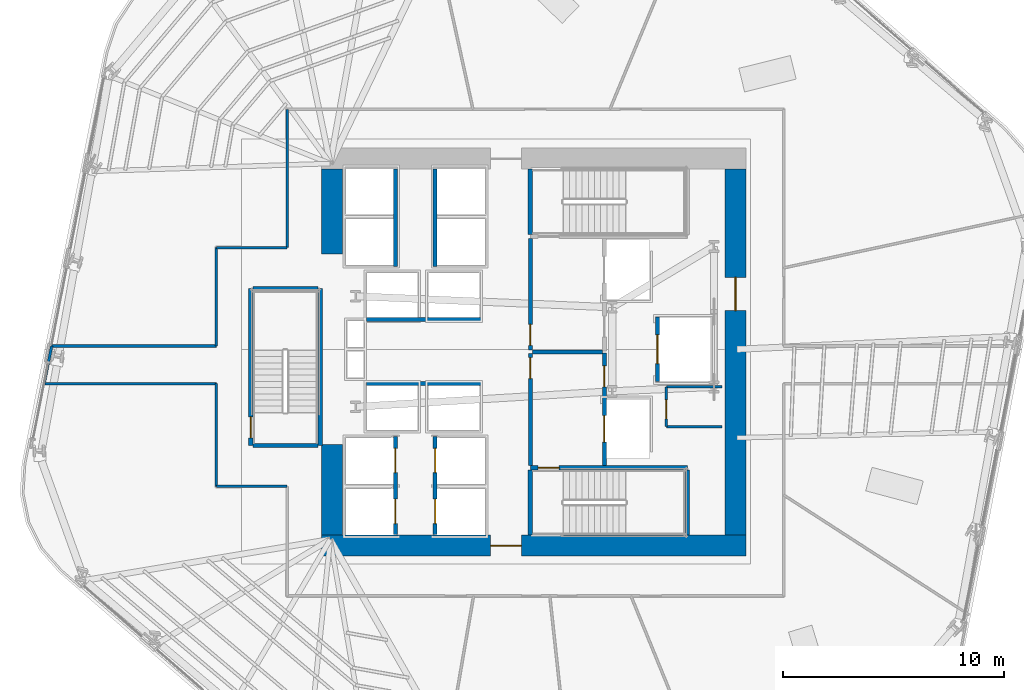
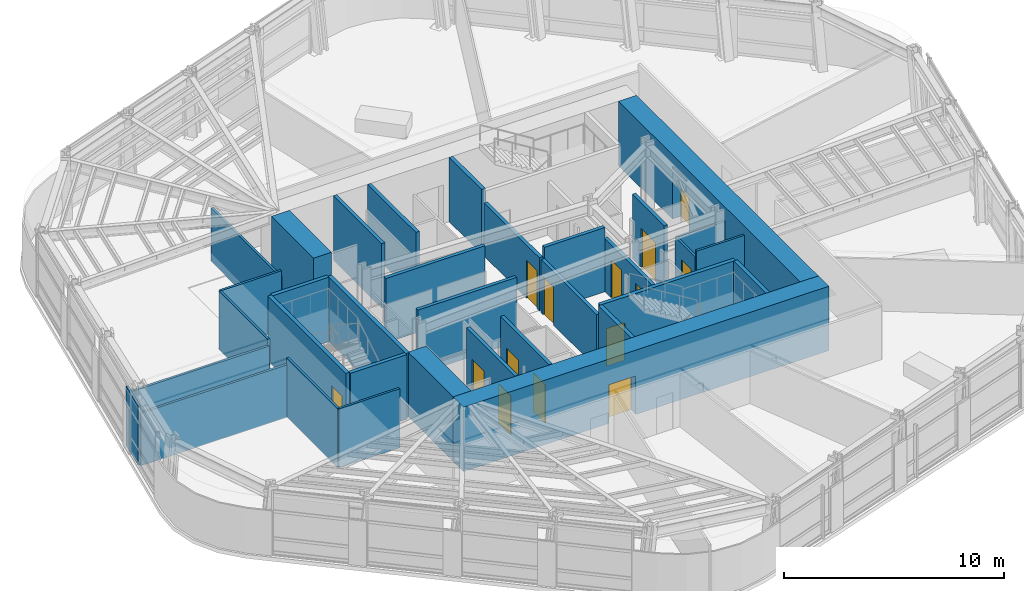
# One storey, part 9 of 16: 34 walls, 14 doors, 14 openings.
"""IFC4 building model written with IfcOpenShell, lengths in metres."""

from ifc_helpers import new_model, si_unit, direction, frame, frame_2d, origin, place, context, subcontext, project, spatial, rectangle, extrude, material, layer, layer_set, type_object, element, fill, save


model = new_model("IFC4")

# Units and contexts
model_context = context("Model", 3, precision=1e-05, world=origin(), true_north=direction((0.0, 1.0)))
body_context = subcontext(model_context, "Body", "Model", "MODEL_VIEW")
ifc_project = project(units=[si_unit("LENGTHUNIT", "METRE"), si_unit("AREAUNIT", "SQUARE_METRE"), si_unit("VOLUMEUNIT", "CUBIC_METRE"), si_unit("PLANEANGLEUNIT", "RADIAN"), si_unit("MASSUNIT", "GRAM", prefix="KILO")], contexts=[model_context])

# Site, building, storey
site_placement = place(None, origin())
site = spatial("IfcSite", under=ifc_project, at=site_placement, CompositionType="ELEMENT")
building_placement = place(site_placement, origin())
building = spatial("IfcBuilding", under=site, at=building_placement, Name="Valkerne Bourse Tower", CompositionType="ELEMENT")
storey_placement = place(building_placement, frame((0.0, 0.0, 104.800048828125)))
storey = spatial("IfcBuildingStorey", under=building, at=storey_placement, Name="L26", CompositionType="ELEMENT", Elevation=104.800048828125)

# Wall, opening, door
ifc_material_1 = material(Name="Concrete C70/85", Category="concrete")
ifc_layer_1 = layer(ifc_material_1, 0.949951171875)
ifc_layer_set_1 = layer_set([ifc_layer_1], Name="Concrete C70/85")
wall_type_1 = type_object("IfcWallType", Name="W-CORE-950", PredefinedType="SHEAR", material=ifc_layer_set_1)
wall_1_placement = place(storey_placement, frame((37.199951171875, 18.125, 0.0), z_axis=(0.0, 0.0, 1.0), x_axis=(1.0, 0.0, 0.0)))
wall_1 = element("IfcWall", 1, at=wall_1_placement, inside=storey, type_object=wall_type_1, Name="L26 Core Shear Wall SOUTH", PredefinedType="SHEAR", context=body_context, shape_type="SweptSolid", body=[
    extrude(rectangle(XDim=19.199951171875, YDim=0.949951171875, at=frame_2d((9.60009765625, 0.0))), origin(), (0.0, 0.0, 1.0), 3.579833984375),
])
opening_1_placement = place(wall_1_placement, frame((7.64990234375, 0.0, 0.0)))
opening_1 = element("IfcOpeningElement", 2, at=opening_1_placement, cuts=wall_1, Name="Opening D-PL-1400", PredefinedType="OPENING", context=body_context, shape_type="SweptSolid", body=[
    extrude(rectangle(XDim=1.39990234375, YDim=2.14990234375, at=frame_2d((0.699951171875, 1.074951171875))), frame((0.0, 0.48486328125, 0.0), z_axis=(0.0, -1.0, 0.0), x_axis=(1.0, 0.0, 0.0)), (0.0, 0.0, 1.0), 0.969970703125),
])
ifc_material_2 = material(Name="Galvanised Painted Steel", Category="steel")
door_type_1 = type_object("IfcDoorType", Name="DR-PLT-1400", OperationType="DOUBLE_DOOR_SINGLE_SWING", PredefinedType="DOOR", material=ifc_material_2)
door_1_placement = place(opening_1_placement, origin())
door_1 = element("IfcDoor", 3, at=door_1_placement, inside=storey, type_object=door_type_1, Name="L26 South Passenger Lift Hall Fire Door", OperationType="DOUBLE_DOOR_SINGLE_SWING", OverallHeight=2.14990234375, OverallWidth=1.39990234375, PredefinedType="DOOR", context=body_context, shape_type="SweptSolid", body=[
    extrude(rectangle(XDim=1.39990234375, YDim=2.14990234375, at=frame_2d((0.699951171875, 1.074951171875))), frame((0.0, 0.02490234375, 0.0), z_axis=(0.0, -1.0, 0.0), x_axis=(1.0, 0.0, 0.0)), (0.0, 0.0, 1.0), 0.050048828125),
])
fill(opening_1, door_1)

wall_2_placement = place(storey_placement, frame((55.925048828125, 18.60009765625, 0.0), z_axis=(0.0, 0.0, 1.0), x_axis=(0.0, 1.0, 0.0)))
wall_2 = element("IfcWall", 4, at=wall_2_placement, inside=storey, type_object=wall_type_1, Name="L26 Core Shear Wall EAST", PredefinedType="SHEAR", context=body_context, shape_type="SweptSolid", body=[
    extrude(rectangle(XDim=16.5498046875, YDim=0.949951171875, at=frame_2d((8.27490234375, 0.0))), origin(), (0.0, 0.0, 1.0), 3.579833984375),
])
opening_2_placement = place(wall_2_placement, frame((10.14990234375, 0.0, 0.0)))
opening_2 = element("IfcOpeningElement", 5, at=opening_2_placement, cuts=wall_2, Name="Opening D-CR-1500", PredefinedType="OPENING", context=body_context, shape_type="SweptSolid", body=[
    extrude(rectangle(XDim=1.5, YDim=2.14990234375, at=frame_2d((0.75, 1.074951171875))), frame((0.0, 0.48486328125, 0.0), z_axis=(0.0, -1.0, 0.0), x_axis=(1.0, 0.0, 0.0)), (0.0, 0.0, 1.0), 0.969970703125),
])
door_type_2 = type_object("IfcDoorType", Name="DR-CORR-1500", OperationType="DOUBLE_DOOR_SINGLE_SWING", PredefinedType="DOOR", material=ifc_material_2)
door_2_placement = place(opening_2_placement, origin())
door_2 = element("IfcDoor", 6, at=door_2_placement, inside=storey, type_object=door_type_2, Name="L26 East Core Service Lobby Fire Door", OperationType="DOUBLE_DOOR_SINGLE_SWING", OverallHeight=2.14990234375, OverallWidth=1.5, PredefinedType="DOOR", context=body_context, shape_type="SweptSolid", body=[
    extrude(rectangle(XDim=1.5, YDim=2.14990234375, at=frame_2d((0.75, 1.074951171875))), frame((0.0, 0.02490234375, 0.0), z_axis=(0.0, -1.0, 0.0), x_axis=(1.0, 0.0, 0.0)), (0.0, 0.0, 1.0), 0.050048828125),
])
fill(opening_2, door_2)

# Walls
wall_3_placement = place(storey_placement, frame((37.675048828125, 18.60009765625, 0.0), z_axis=(0.0, 0.0, 1.0), x_axis=(0.0, 1.0, 0.0)))
element("IfcWall", 7, at=wall_3_placement, inside=storey, type_object=wall_type_1, Name="L26 Core Shear Wall WEST-S", PredefinedType="SHEAR", context=body_context, shape_type="SweptSolid", body=[
    extrude(rectangle(XDim=4.099853515625, YDim=0.949951171875, at=frame_2d((2.0498046875, 0.0))), origin(), (0.0, 0.0, 1.0), 3.579833984375),
])
wall_4_placement = place(storey_placement, frame((37.675048828125, 31.300048828125, 0.0), z_axis=(0.0, 0.0, 1.0), x_axis=(0.0, 1.0, 0.0)))
element("IfcWall", 8, at=wall_4_placement, inside=storey, type_object=wall_type_1, Name="L26 Core Shear Wall WEST-N", PredefinedType="SHEAR", context=body_context, shape_type="SweptSolid", body=[
    extrude(rectangle(XDim=3.849853515625, YDim=0.949951171875, at=frame_2d((1.9248046875, 0.0))), origin(), (0.0, 0.0, 1.0), 3.579833984375),
])

# Wall, opening, door
ifc_material_3 = material(Name="Gypsum Board Steel-Stud Partition", Category="steel")
ifc_layer_2 = layer(ifc_material_3, 0.117919921875)
ifc_layer_set_2 = layer_set([ifc_layer_2], Name="Gypsum Board Steel-Stud Partition")
wall_type_2 = type_object("IfcWallType", Name="W-CORR-140", PredefinedType="PARTITIONING", material=ifc_layer_set_2)
wall_5_placement = place(storey_placement, frame((52.800048828125, 23.5, 0.0), z_axis=(0.0, 0.0, 1.0), x_axis=(0.0, 1.0, 0.0)))
wall_5 = element("IfcWall", 9, at=wall_5_placement, inside=storey, type_object=wall_type_2, Name="L26 Core SE North-Bay West Wall", PredefinedType="PARTITIONING", context=body_context, shape_type="SweptSolid", body=[
    extrude(rectangle(XDim=1.800048828125, YDim=0.117919921875, at=frame_2d((0.89990234375, 0.0))), origin(), (0.0, 0.0, 1.0), 2.957763671875),
])
opening_3_placement = place(wall_5_placement, frame((0.35009765625, 0.0, 0.0)))
opening_3 = element("IfcOpeningElement", 10, at=opening_3_placement, cuts=wall_5, Name="Opening D-WC-900", PredefinedType="OPENING", context=body_context, shape_type="SweptSolid", body=[
    extrude(rectangle(XDim=0.860107421875, YDim=2.050048828125, at=frame_2d((0.43017578125, 1.02490234375))), frame((0.0, 0.06884765625, 0.0), z_axis=(0.0, -1.0, 0.0), x_axis=(1.0, 0.0, 0.0)), (0.0, 0.0, 1.0), 0.137939453125),
])
ifc_material_4 = material(Name="Architectural White Oak Timber", Category="wood")
door_type_3 = type_object("IfcDoorType", Name="DR-WC-900", OperationType="NOTDEFINED", PredefinedType="DOOR", material=ifc_material_4)
door_3_placement = place(opening_3_placement, origin())
door_3 = element("IfcDoor", 11, at=door_3_placement, inside=storey, type_object=door_type_3, Name="L26 Telecom Closet Door", OperationType="SINGLE_SWING_LEFT", OverallHeight=2.050048828125, OverallWidth=0.860107421875, PredefinedType="DOOR", context=body_context, shape_type="SweptSolid", body=[
    extrude(rectangle(XDim=0.860107421875, YDim=2.050048828125, at=frame_2d((0.43017578125, 1.02490234375))), frame((0.0, 0.02490234375, 0.0), z_axis=(0.0, -1.0, 0.0), x_axis=(1.0, 0.0, 0.0)), (0.0, 0.0, 1.0), 0.050048828125),
])
fill(opening_3, door_3)

# Walls
wall_6_placement = place(storey_placement, frame((52.800048828125, 23.5, 0.0), z_axis=(0.0, 0.0, 1.0), x_axis=(1.0, 0.0, 0.0)))
element("IfcWall", 12, at=wall_6_placement, inside=storey, type_object=wall_type_2, Name="L26 Core SE North-Bay South Wall", PredefinedType="PARTITIONING", context=body_context, shape_type="SweptSolid", body=[
    extrude(rectangle(XDim=2.52001953125, YDim=0.117919921875, at=frame_2d((1.260009765625, 0.0))), origin(), (0.0, 0.0, 1.0), 3.280029296875),
])
wall_7_placement = place(storey_placement, frame((52.800048828125, 25.300048828125, 0.0), z_axis=(0.0, 0.0, 1.0), x_axis=(1.0, 0.0, 0.0)))
element("IfcWall", 13, at=wall_7_placement, inside=storey, type_object=wall_type_2, Name="L26 Core SE North-Bay North Wall", PredefinedType="PARTITIONING", context=body_context, shape_type="SweptSolid", body=[
    extrude(rectangle(XDim=2.52001953125, YDim=0.117919921875, at=frame_2d((1.260009765625, 0.0))), origin(), (0.0, 0.0, 1.0), 2.957763671875),
])
wall_8_placement = place(storey_placement, frame((35.64990234375, 20.800048828125, 0.0), z_axis=(0.0, 0.0, 1.0), x_axis=(-1.0, 0.0, 0.0)))
element("IfcWall", 14, at=wall_8_placement, inside=storey, type_object=wall_type_2, Name="L26 Corridor Enclosure Wall", PredefinedType="PARTITIONING", context=body_context, shape_type="SweptSolid", body=[
    extrude(rectangle(XDim=3.199951171875, YDim=0.117919921875, at=frame_2d((1.60009765625, 0.0))), origin(), (0.0, 0.0, 1.0), 3.280029296875),
])
wall_9_placement = place(storey_placement, frame((32.449951171875, 20.800048828125, 0.0), z_axis=(0.0, 0.0, 1.0), x_axis=(0.0, 1.0, 0.0)))
element("IfcWall", 15, at=wall_9_placement, inside=storey, type_object=wall_type_2, Name="L26 Corridor Enclosure Wall", PredefinedType="PARTITIONING", context=body_context, shape_type="SweptSolid", body=[
    extrude(rectangle(XDim=4.64990234375, YDim=0.117919921875, at=frame_2d((2.324951171875, 0.0))), origin(), (0.0, 0.0, 1.0), 3.280029296875),
])
wall_10_placement = place(storey_placement, frame((32.449951171875, 25.449951171875, 0.0), z_axis=(0.0, 0.0, 1.0), x_axis=(-1.0, 0.0, 0.0)))
element("IfcWall", 16, at=wall_10_placement, inside=storey, type_object=wall_type_2, Name="L26 Corridor Enclosure Wall", PredefinedType="PARTITIONING", context=body_context, shape_type="SweptSolid", body=[
    extrude(rectangle(XDim=7.73681640625, YDim=0.117919921875, at=frame_2d((3.868408203125, 0.0))), origin(), (0.0, 0.0, 1.0), 2.92236328125),
])
wall_11_placement = place(storey_placement, frame((24.677001953125, 25.494140625, 0.0), z_axis=(0.0, 0.0, 1.0), x_axis=(0.195643382588, 0.980675107694, 0.0)))
element("IfcWall", 17, at=wall_11_placement, inside=storey, type_object=wall_type_2, Name="L26 Corridor Enclosure Wall", PredefinedType="PARTITIONING", context=body_context, shape_type="SweptSolid", body=[
    extrude(rectangle(XDim=1.6884765625, YDim=0.117919921875, at=frame_2d((0.84423828125, 0.0))), origin(), (0.0, 0.0, 1.0), 3.280029296875),
])
wall_12_placement = place(storey_placement, frame((25.00732421875, 27.14990234375, 0.0), z_axis=(0.0, 0.0, 1.0), x_axis=(1.0, 0.0, 0.0)))
element("IfcWall", 18, at=wall_12_placement, inside=storey, type_object=wall_type_2, Name="L26 Corridor Enclosure Wall", PredefinedType="PARTITIONING", context=body_context, shape_type="SweptSolid", body=[
    extrude(rectangle(XDim=7.442626953125, YDim=0.117919921875, at=frame_2d((3.72119140625, 0.0))), origin(), (0.0, 0.0, 1.0), 2.92236328125),
])
wall_13_placement = place(storey_placement, frame((32.449951171875, 27.14990234375, 0.0), z_axis=(0.0, 0.0, 1.0), x_axis=(0.0, 1.0, 0.0)))
element("IfcWall", 19, at=wall_13_placement, inside=storey, type_object=wall_type_2, Name="L26 Corridor Enclosure Wall", PredefinedType="PARTITIONING", context=body_context, shape_type="SweptSolid", body=[
    extrude(rectangle(XDim=4.4501953125, YDim=0.117919921875, at=frame_2d((2.22509765625, 0.0))), origin(), (0.0, 0.0, 1.0), 3.280029296875),
])
wall_14_placement = place(storey_placement, frame((32.449951171875, 31.60009765625, 0.0), z_axis=(0.0, 0.0, 1.0), x_axis=(1.0, 0.0, 0.0)))
element("IfcWall", 20, at=wall_14_placement, inside=storey, type_object=wall_type_2, Name="L26 Corridor Enclosure Wall", PredefinedType="PARTITIONING", context=body_context, shape_type="SweptSolid", body=[
    extrude(rectangle(XDim=3.199951171875, YDim=0.117919921875, at=frame_2d((1.60009765625, 0.0))), origin(), (0.0, 0.0, 1.0), 3.280029296875),
])
wall_15_placement = place(storey_placement, frame((35.64990234375, 31.60009765625, 0.0), z_axis=(0.0, 0.0, 1.0), x_axis=(0.0, 1.0, 0.0)))
element("IfcWall", 21, at=wall_15_placement, inside=storey, type_object=wall_type_2, Name="L26 Corridor Enclosure Wall", PredefinedType="PARTITIONING", context=body_context, shape_type="SweptSolid", body=[
    extrude(rectangle(XDim=6.25, YDim=0.117919921875, at=frame_2d((3.125, 0.0))), origin(), (0.0, 0.0, 1.0), 2.962890625),
])
ifc_material_5 = material(Name="Gypsum Fire-Rated Shaftwall", Category="gypsum")
ifc_layer_3 = layer(ifc_material_5, 0.179931640625)
ifc_layer_set_3 = layer_set([ifc_layer_3], Name="Gypsum Fire-Rated Shaftwall")
wall_type_3 = type_object("IfcWallType", Name="W-FSAE-180", PredefinedType="PARTITIONING", material=ifc_layer_set_3)
wall_16_placement = place(storey_placement, frame((46.739990234375, 26.8798828125, 0.0), z_axis=(0.0, 0.0, 1.0), x_axis=(1.0, 0.0, 0.0)))
element("IfcWall", 22, at=wall_16_placement, inside=storey, type_object=wall_type_3, Name="L26 FSAE-1/2 Lobby Dividing Fire Wall", PredefinedType="PARTITIONING", context=body_context, shape_type="SweptSolid", body=[
    extrude(rectangle(XDim=3.169921875, YDim=0.179931640625, at=frame_2d((1.5849609375, 0.0))), origin(), (0.0, 0.0, 1.0), 3.579833984375),
])

# Wall, opening, door
wall_17_placement = place(storey_placement, frame((46.64990234375, 21.75, 0.0), z_axis=(0.0, 0.0, 1.0), x_axis=(0.0, 1.0, 0.0)))
wall_17 = element("IfcWall", 23, at=wall_17_placement, inside=storey, type_object=wall_type_3, Name="L26 FSAE-1 Lobby West Fire Wall", PredefinedType="PARTITIONING", context=body_context, shape_type="SweptSolid", body=[
    extrude(rectangle(XDim=5.050048828125, YDim=0.179931640625, at=frame_2d((2.52490234375, 0.0))), origin(), (0.0, 0.0, 1.0), 2.957763671875),
])
opening_4_placement = place(wall_17_placement, frame((3.919921875, 0.0, 0.0)))
opening_4 = element("IfcOpeningElement", 24, at=opening_4_placement, cuts=wall_17, Name="Opening D-FS-950", PredefinedType="OPENING", context=body_context, shape_type="SweptSolid", body=[
    extrude(rectangle(XDim=0.949951171875, YDim=2.10009765625, at=frame_2d((0.47509765625, 1.050048828125))), frame((0.0, 0.099853515625, 0.0), z_axis=(0.0, -1.0, 0.0), x_axis=(1.0, 0.0, 0.0)), (0.0, 0.0, 1.0), 0.199951171875),
])
door_type_4 = type_object("IfcDoorType", Name="DR-FSAE-950", OperationType="NOTDEFINED", PredefinedType="DOOR", material=ifc_material_2)
door_4_placement = place(opening_4_placement, origin())
door_4 = element("IfcDoor", 25, at=door_4_placement, inside=storey, type_object=door_type_4, Name="L26 FSAE-1 Hall Link Fire Door", OperationType="SINGLE_SWING_RIGHT", OverallHeight=2.10009765625, OverallWidth=0.949951171875, PredefinedType="DOOR", context=body_context, shape_type="SweptSolid", body=[
    extrude(rectangle(XDim=0.949951171875, YDim=2.10009765625, at=frame_2d((0.47509765625, 1.050048828125))), frame((0.0, 0.02490234375, 0.0), z_axis=(0.0, -1.0, 0.0), x_axis=(1.0, 0.0, 0.0)), (0.0, 0.0, 1.0), 0.050048828125),
])
fill(opening_4, door_4)

wall_18_placement = place(storey_placement, frame((46.64990234375, 26.9599609375, 0.0), z_axis=(0.0, 0.0, 1.0), x_axis=(0.0, 1.0, 0.0)))
wall_18 = element("IfcWall", 26, at=wall_18_placement, inside=storey, type_object=wall_type_3, Name="L26 FSAE-2 Lobby West Fire Wall", PredefinedType="PARTITIONING", context=body_context, shape_type="SweptSolid", body=[
    extrude(rectangle(XDim=5.0400390625, YDim=0.179931640625, at=frame_2d((2.52001953125, 0.0))), origin(), (0.0, 0.0, 1.0), 2.957763671875),
])
opening_5_placement = place(wall_18_placement, frame((0.219970703125, 0.0, 0.0)))
opening_5 = element("IfcOpeningElement", 27, at=opening_5_placement, cuts=wall_18, Name="Opening D-FS-950", PredefinedType="OPENING", context=body_context, shape_type="SweptSolid", body=[
    extrude(rectangle(XDim=0.949951171875, YDim=2.10009765625, at=frame_2d((0.47509765625, 1.050048828125))), frame((0.0, 0.099853515625, 0.0), z_axis=(0.0, -1.0, 0.0), x_axis=(1.0, 0.0, 0.0)), (0.0, 0.0, 1.0), 0.199951171875),
])
door_5_placement = place(opening_5_placement, origin())
door_5 = element("IfcDoor", 28, at=door_5_placement, inside=storey, type_object=door_type_4, Name="L26 FSAE-2 Hall Link Fire Door", OperationType="SINGLE_SWING_RIGHT", OverallHeight=2.10009765625, OverallWidth=0.949951171875, PredefinedType="DOOR", context=body_context, shape_type="SweptSolid", body=[
    extrude(rectangle(XDim=0.949951171875, YDim=2.10009765625, at=frame_2d((0.47509765625, 1.050048828125))), frame((0.0, 0.02490234375, 0.0), z_axis=(0.0, -1.0, 0.0), x_axis=(1.0, 0.0, 0.0)), (0.0, 0.0, 1.0), 0.050048828125),
])
fill(opening_5, door_5)

# Wall, openings, doors
wall_19_placement = place(storey_placement, frame((50.0, 21.75, 0.0), z_axis=(0.0, 0.0, 1.0), x_axis=(0.0, 1.0, 0.0)))
wall_19 = element("IfcWall", 29, at=wall_19_placement, inside=storey, type_object=wall_type_3, Name="L26 FSAE-1 Lobby & Shaft Front Wall", PredefinedType="PARTITIONING", context=body_context, shape_type="SweptSolid", body=[
    extrude(rectangle(XDim=5.090087890625, YDim=0.179931640625, at=frame_2d((2.544921875, 0.0))), origin(), (0.0, 0.0, 1.0), 2.957763671875),
])
opening_6_placement = place(wall_19_placement, frame((1.050048828125, 0.0, 0.0)))
opening_6 = element("IfcOpeningElement", 30, at=opening_6_placement, cuts=wall_19, Name="Opening LD-1200", PredefinedType="OPENING", context=body_context, shape_type="SweptSolid", body=[
    extrude(rectangle(XDim=1.199951171875, YDim=2.14990234375, at=frame_2d((0.60009765625, 1.074951171875))), frame((0.0, 0.099853515625, 0.0), z_axis=(0.0, -1.0, 0.0), x_axis=(1.0, 0.0, 0.0)), (0.0, 0.0, 1.0), 0.199951171875),
])
opening_7_placement = place(wall_19_placement, frame((3.550048828125, 0.0, 0.0)))
opening_7 = element("IfcOpeningElement", 31, at=opening_7_placement, cuts=wall_19, Name="Opening D-FS-950", PredefinedType="OPENING", context=body_context, shape_type="SweptSolid", body=[
    extrude(rectangle(XDim=0.949951171875, YDim=2.10009765625, at=frame_2d((0.47509765625, 1.050048828125))), frame((0.0, 0.099853515625, 0.0), z_axis=(0.0, -1.0, 0.0), x_axis=(1.0, 0.0, 0.0)), (0.0, 0.0, 1.0), 0.199951171875),
])
door_6_placement = place(opening_7_placement, origin())
door_6 = element("IfcDoor", 32, at=door_6_placement, inside=storey, type_object=door_type_4, Name="L26 FSAE-1 Lobby Corridor Fire Door", OperationType="SINGLE_SWING_RIGHT", OverallHeight=2.10009765625, OverallWidth=0.949951171875, PredefinedType="DOOR", context=body_context, shape_type="SweptSolid", body=[
    extrude(rectangle(XDim=0.949951171875, YDim=2.10009765625, at=frame_2d((0.47509765625, 1.050048828125))), frame((0.0, 0.02490234375, 0.0), z_axis=(0.0, -1.0, 0.0), x_axis=(1.0, 0.0, 0.0)), (0.0, 0.0, 1.0), 0.050048828125),
])
fill(opening_7, door_6)
ifc_material_6 = material(Name="Stainless Steel AISI 316", Category="steel")
door_type_5 = type_object("IfcDoorType", Name="DR-LIFT-1200", OperationType="DOUBLE_DOOR_SLIDING", PredefinedType="DOOR", material=ifc_material_6)
door_7_placement = place(opening_6_placement, origin())
door_7 = element("IfcDoor", 33, at=door_7_placement, inside=storey, type_object=door_type_5, Name="L26 FSAE-1 Firefighting Lift Landing Door", OperationType="DOUBLE_DOOR_SLIDING", OverallHeight=2.14990234375, OverallWidth=1.199951171875, PredefinedType="DOOR", context=body_context, shape_type="SweptSolid", body=[
    extrude(rectangle(XDim=1.199951171875, YDim=2.14990234375, at=frame_2d((0.60009765625, 1.074951171875))), frame((0.0, 0.02490234375, 0.0), z_axis=(0.0, -1.0, 0.0), x_axis=(1.0, 0.0, 0.0)), (0.0, 0.0, 1.0), 0.050048828125),
])
fill(opening_6, door_7)

# Wall, opening, door
ifc_material_7 = material(Name="CMU Blockwork Masonry 200mm", Category="masonry")
ifc_layer_4 = layer(ifc_material_7, 0.179931640625)
ifc_layer_set_4 = layer_set([ifc_layer_4], Name="CMU Blockwork Masonry 200mm")
wall_type_4 = type_object("IfcWallType", Name="W-LFT-180", PredefinedType="SOLIDWALL", material=ifc_layer_set_4)
wall_20_placement = place(storey_placement, frame((52.39990234375, 25.550048828125, 0.0), z_axis=(0.0, 0.0, 1.0), x_axis=(0.0, 1.0, 0.0)))
wall_20 = element("IfcWall", 34, at=wall_20_placement, inside=storey, type_object=wall_type_4, Name="L26 Service Lift SV-1 Front Wall", PredefinedType="SOLIDWALL", context=body_context, shape_type="SweptSolid", body=[
    extrude(rectangle(XDim=2.89990234375, YDim=0.179931640625, at=frame_2d((1.449951171875, 0.0))), origin(), (0.0, 0.0, 1.0), 3.579833984375),
])
opening_8_placement = place(wall_20_placement, frame((0.800048828125, 0.0, 0.0)))
opening_8 = element("IfcOpeningElement", 35, at=opening_8_placement, cuts=wall_20, Name="Opening LD-1300", PredefinedType="OPENING", context=body_context, shape_type="SweptSolid", body=[
    extrude(rectangle(XDim=1.300048828125, YDim=2.14990234375, at=frame_2d((0.64990234375, 1.074951171875))), frame((0.0, 0.099853515625, 0.0), z_axis=(0.0, -1.0, 0.0), x_axis=(1.0, 0.0, 0.0)), (0.0, 0.0, 1.0), 0.199951171875),
])
door_type_6 = type_object("IfcDoorType", Name="DR-LIFT-1300", OperationType="DOUBLE_DOOR_SLIDING", PredefinedType="DOOR", material=ifc_material_6)
door_8_placement = place(opening_8_placement, origin())
door_8 = element("IfcDoor", 36, at=door_8_placement, inside=storey, type_object=door_type_6, Name="L26 Service Lift SV-1 Landing Door", OperationType="DOUBLE_DOOR_SLIDING", OverallHeight=2.14990234375, OverallWidth=1.300048828125, PredefinedType="DOOR", context=body_context, shape_type="SweptSolid", body=[
    extrude(rectangle(XDim=1.300048828125, YDim=2.14990234375, at=frame_2d((0.64990234375, 1.074951171875))), frame((0.0, 0.02490234375, 0.0), z_axis=(0.0, -1.0, 0.0), x_axis=(1.0, 0.0, 0.0)), (0.0, 0.0, 1.0), 0.050048828125),
])
fill(opening_8, door_8)

# Wall, openings, doors
wall_21_placement = place(storey_placement, frame((40.550048828125, 18.6201171875, 0.0), z_axis=(0.0, 0.0, 1.0), x_axis=(0.0, 1.0, 0.0)))
wall_21 = element("IfcWall", 37, at=wall_21_placement, inside=storey, type_object=wall_type_4, Name="L26 Low-Zone West Cars Front Wall", PredefinedType="SOLIDWALL", context=body_context, shape_type="SweptSolid", body=[
    extrude(rectangle(XDim=4.429931640625, YDim=0.179931640625, at=frame_2d((2.21484375, 0.0))), origin(), (0.0, 0.0, 1.0), 3.579833984375),
])
opening_9_placement = place(wall_21_placement, frame((0.5, 0.0, 0.0)))
opening_9 = element("IfcOpeningElement", 38, at=opening_9_placement, cuts=wall_21, Name="Opening LD-1100", PredefinedType="OPENING", context=body_context, shape_type="SweptSolid", body=[
    extrude(rectangle(XDim=1.10009765625, YDim=2.14990234375, at=frame_2d((0.550048828125, 1.074951171875))), frame((0.0, 0.099853515625, 0.0), z_axis=(0.0, -1.0, 0.0), x_axis=(1.0, 0.0, 0.0)), (0.0, 0.0, 1.0), 0.199951171875),
])
opening_10_placement = place(wall_21_placement, frame((2.800048828125, 0.0, 0.0)))
opening_10 = element("IfcOpeningElement", 39, at=opening_10_placement, cuts=wall_21, Name="Opening LD-1100", PredefinedType="OPENING", context=body_context, shape_type="SweptSolid", body=[
    extrude(rectangle(XDim=1.10009765625, YDim=2.14990234375, at=frame_2d((0.550048828125, 1.074951171875))), frame((0.0, 0.099853515625, 0.0), z_axis=(0.0, -1.0, 0.0), x_axis=(1.0, 0.0, 0.0)), (0.0, 0.0, 1.0), 0.199951171875),
])
door_type_7 = type_object("IfcDoorType", Name="DR-LIFT-1100", OperationType="DOUBLE_DOOR_SLIDING", PredefinedType="DOOR", material=ifc_material_6)
door_9_placement = place(opening_9_placement, origin())
door_9 = element("IfcDoor", 40, at=door_9_placement, inside=storey, type_object=door_type_7, Name="L26 Passenger Lift PL-L1 Sliding Landing Door", OperationType="DOUBLE_DOOR_SLIDING", OverallHeight=2.14990234375, OverallWidth=1.10009765625, PredefinedType="DOOR", context=body_context, shape_type="SweptSolid", body=[
    extrude(rectangle(XDim=1.10009765625, YDim=2.14990234375, at=frame_2d((0.550048828125, 1.074951171875))), frame((0.0, 0.02490234375, 0.0), z_axis=(0.0, -1.0, 0.0), x_axis=(1.0, 0.0, 0.0)), (0.0, 0.0, 1.0), 0.050048828125),
])
fill(opening_9, door_9)
door_10_placement = place(opening_10_placement, origin())
door_10 = element("IfcDoor", 41, at=door_10_placement, inside=storey, type_object=door_type_7, Name="L26 Passenger Lift PL-L2 Sliding Landing Door", OperationType="DOUBLE_DOOR_SLIDING", OverallHeight=2.14990234375, OverallWidth=1.10009765625, PredefinedType="DOOR", context=body_context, shape_type="SweptSolid", body=[
    extrude(rectangle(XDim=1.10009765625, YDim=2.14990234375, at=frame_2d((0.550048828125, 1.074951171875))), frame((0.0, 0.02490234375, 0.0), z_axis=(0.0, -1.0, 0.0), x_axis=(1.0, 0.0, 0.0)), (0.0, 0.0, 1.0), 0.050048828125),
])
fill(opening_10, door_10)

wall_22_placement = place(storey_placement, frame((42.35009765625, 18.6201171875, 0.0), z_axis=(0.0, 0.0, 1.0), x_axis=(0.0, 1.0, 0.0)))
wall_22 = element("IfcWall", 42, at=wall_22_placement, inside=storey, type_object=wall_type_4, Name="L26 Low-Zone East Cars Front Wall", PredefinedType="SOLIDWALL", context=body_context, shape_type="SweptSolid", body=[
    extrude(rectangle(XDim=4.429931640625, YDim=0.179931640625, at=frame_2d((2.21484375, 0.0))), origin(), (0.0, 0.0, 1.0), 3.579833984375),
])
opening_11_placement = place(wall_22_placement, frame((0.5, 0.0, 0.0)))
opening_11 = element("IfcOpeningElement", 43, at=opening_11_placement, cuts=wall_22, Name="Opening LD-1100", PredefinedType="OPENING", context=body_context, shape_type="SweptSolid", body=[
    extrude(rectangle(XDim=1.10009765625, YDim=2.14990234375, at=frame_2d((0.550048828125, 1.074951171875))), frame((0.0, 0.099853515625, 0.0), z_axis=(0.0, -1.0, 0.0), x_axis=(1.0, 0.0, 0.0)), (0.0, 0.0, 1.0), 0.199951171875),
])
opening_12_placement = place(wall_22_placement, frame((2.800048828125, 0.0, 0.0)))
opening_12 = element("IfcOpeningElement", 44, at=opening_12_placement, cuts=wall_22, Name="Opening LD-1100", PredefinedType="OPENING", context=body_context, shape_type="SweptSolid", body=[
    extrude(rectangle(XDim=1.10009765625, YDim=2.14990234375, at=frame_2d((0.550048828125, 1.074951171875))), frame((0.0, 0.099853515625, 0.0), z_axis=(0.0, -1.0, 0.0), x_axis=(1.0, 0.0, 0.0)), (0.0, 0.0, 1.0), 0.199951171875),
])
door_11_placement = place(opening_11_placement, origin())
door_11 = element("IfcDoor", 45, at=door_11_placement, inside=storey, type_object=door_type_7, Name="L26 Passenger Lift PL-L3 Sliding Landing Door", OperationType="DOUBLE_DOOR_SLIDING", OverallHeight=2.14990234375, OverallWidth=1.10009765625, PredefinedType="DOOR", context=body_context, shape_type="SweptSolid", body=[
    extrude(rectangle(XDim=1.10009765625, YDim=2.14990234375, at=frame_2d((0.550048828125, 1.074951171875))), frame((0.0, 0.02490234375, 0.0), z_axis=(0.0, -1.0, 0.0), x_axis=(1.0, 0.0, 0.0)), (0.0, 0.0, 1.0), 0.050048828125),
])
fill(opening_11, door_11)
door_12_placement = place(opening_12_placement, origin())
door_12 = element("IfcDoor", 46, at=door_12_placement, inside=storey, type_object=door_type_7, Name="L26 Passenger Lift PL-L4 Sliding Landing Door", OperationType="DOUBLE_DOOR_SLIDING", OverallHeight=2.14990234375, OverallWidth=1.10009765625, PredefinedType="DOOR", context=body_context, shape_type="SweptSolid", body=[
    extrude(rectangle(XDim=1.10009765625, YDim=2.14990234375, at=frame_2d((0.550048828125, 1.074951171875))), frame((0.0, 0.02490234375, 0.0), z_axis=(0.0, -1.0, 0.0), x_axis=(1.0, 0.0, 0.0)), (0.0, 0.0, 1.0), 0.050048828125),
])
fill(opening_12, door_12)

# Walls
for number, where, z_axis, x_axis, name in (
    (47, (40.550048828125, 30.75, 0.0), (0.0, 0.0, 1.0), (0.0, 1.0, 0.0), "L26 Mid-Zone West Cars Front Wall"),
    (48, (42.35009765625, 30.75, 0.0), (0.0, 0.0, 1.0), (0.0, 1.0, 0.0), "L26 Mid-Zone East Cars Front Wall"),
):
    element("IfcWall", number, at=place(storey_placement, frame(where, z_axis=z_axis, x_axis=x_axis)), inside=storey, type_object=wall_type_4, Name=name, PredefinedType="SOLIDWALL", context=body_context, shape_type="SweptSolid", body=[
        extrude(rectangle(XDim=4.39990234375, YDim=0.179931640625, at=frame_2d((2.199951171875, 0.0))), origin(), (0.0, 0.0, 1.0), 3.579833984375),
    ])
for number, where, z_axis, x_axis, name in (
    (49, (39.25, 25.449951171875, 0.0), (0.0, 0.0, 1.0), (1.0, 0.0, 0.0), "L26 High-Zone South Cars Front Wall"),
    (50, (39.25, 28.35009765625, 0.0), (0.0, 0.0, 1.0), (1.0, 0.0, 0.0), "L26 High-Zone North Cars Front Wall"),
):
    element("IfcWall", number, at=place(storey_placement, frame(where, z_axis=z_axis, x_axis=x_axis)), inside=storey, type_object=wall_type_4, Name=name, PredefinedType="SOLIDWALL", context=body_context, shape_type="SweptSolid", body=[
        extrude(rectangle(XDim=5.199951171875, YDim=0.179931640625, at=frame_2d((2.60009765625, 0.0))), origin(), (0.0, 0.0, 1.0), 3.579833984375),
    ])

# Wall, opening, door
ifc_material_8 = material(Name="Concrete C40/50", Category="concrete")
ifc_layer_5 = layer(ifc_material_8, 0.199951171875)
ifc_layer_set_5 = layer_set([ifc_layer_5], Name="Concrete C40/50")
wall_type_5 = type_object("IfcWallType", Name="W-SHF-200", PredefinedType="SHEAR", material=ifc_layer_set_5)
wall_23_placement = place(storey_placement, frame((46.64990234375, 21.64990234375, 0.0), z_axis=(0.0, 0.0, 1.0), x_axis=(1.0, 0.0, 0.0)))
wall_23 = element("IfcWall", 51, at=wall_23_placement, inside=storey, type_object=wall_type_5, Name="L26 Exit Stair ST-1 Structural Shaft Wall North", PredefinedType="SHEAR", context=body_context, shape_type="SweptSolid", body=[
    extrude(rectangle(XDim=7.10009765625, YDim=0.199951171875, at=frame_2d((3.550048828125, 0.0))), origin(), (0.0, 0.0, 1.0), 3.579833984375),
])
opening_13_placement = place(wall_23_placement, frame((0.35009765625, 0.0, 0.0)))
opening_13 = element("IfcOpeningElement", 52, at=opening_13_placement, cuts=wall_23, Name="Opening D-ST-950", PredefinedType="OPENING", context=body_context, shape_type="SweptSolid", body=[
    extrude(rectangle(XDim=0.949951171875, YDim=2.10009765625, at=frame_2d((0.47509765625, 1.050048828125))), frame((0.0, 0.10986328125, 0.0), z_axis=(0.0, -1.0, 0.0), x_axis=(1.0, 0.0, 0.0)), (0.0, 0.0, 1.0), 0.219970703125),
])
door_type_8 = type_object("IfcDoorType", Name="DR-STAIR-950", OperationType="NOTDEFINED", PredefinedType="DOOR", material=ifc_material_2)
door_13_placement = place(opening_13_placement, origin())
door_13 = element("IfcDoor", 53, at=door_13_placement, inside=storey, type_object=door_type_8, Name="L26 Exit Stair ST-1 Door", OperationType="SINGLE_SWING_RIGHT", OverallHeight=2.10009765625, OverallWidth=0.949951171875, PredefinedType="DOOR", context=body_context, shape_type="SweptSolid", body=[
    extrude(rectangle(XDim=0.949951171875, YDim=2.10009765625, at=frame_2d((0.47509765625, 1.050048828125))), frame((0.0, 0.02490234375, 0.0), z_axis=(0.0, -1.0, 0.0), x_axis=(1.0, 0.0, 0.0)), (0.0, 0.0, 1.0), 0.050048828125),
])
fill(opening_13, door_13)

# Walls
for number, where, z_axis, x_axis, name in (
    (54, (46.64990234375, 18.60009765625, 0.0), (0.0, 0.0, 1.0), (0.0, 1.0, 0.0), "L26 Exit Stair ST-1 Structural Shaft Wall West"),
    (55, (53.75, 18.60009765625, 0.0), (0.0, 0.0, 1.0), (0.0, 1.0, 0.0), "L26 Exit Stair ST-1 Structural Shaft Wall East"),
    (56, (46.64990234375, 32.199951171875, 0.0), (0.0, 0.0, 1.0), (0.0, 1.0, 0.0), "L26 Exit Stair ST-2 Structural Shaft Wall West"),
):
    element("IfcWall", number, at=place(storey_placement, frame(where, z_axis=z_axis, x_axis=x_axis)), inside=storey, type_object=wall_type_5, Name=name, PredefinedType="SHEAR", context=body_context, shape_type="SweptSolid", body=[
        extrude(rectangle(XDim=2.949951171875, YDim=0.199951171875, at=frame_2d((1.47509765625, 0.0))), origin(), (0.0, 0.0, 1.0), 3.579833984375),
    ])

# Wall, opening, door
wall_24_placement = place(storey_placement, frame((34.0, 22.64990234375, 0.0), z_axis=(0.0, 0.0, 1.0), x_axis=(0.0, 1.0, 0.0)))
wall_24 = element("IfcWall", 57, at=wall_24_placement, inside=storey, type_object=wall_type_5, Name="L26 Exit Stair ST-3 Structural Shaft Wall West", PredefinedType="SHEAR", context=body_context, shape_type="SweptSolid", body=[
    extrude(rectangle(XDim=7.10009765625, YDim=0.199951171875, at=frame_2d((3.550048828125, 0.0))), origin(), (0.0, 0.0, 1.0), 3.579833984375),
])
opening_14_placement = place(wall_24_placement, frame((0.35009765625, 0.0, 0.0)))
opening_14 = element("IfcOpeningElement", 58, at=opening_14_placement, cuts=wall_24, Name="Opening D-ST-950", PredefinedType="OPENING", context=body_context, shape_type="SweptSolid", body=[
    extrude(rectangle(XDim=0.949951171875, YDim=2.10009765625, at=frame_2d((0.47509765625, 1.050048828125))), frame((0.0, 0.10986328125, 0.0), z_axis=(0.0, -1.0, 0.0), x_axis=(1.0, 0.0, 0.0)), (0.0, 0.0, 1.0), 0.219970703125),
])
door_14_placement = place(opening_14_placement, origin())
door_14 = element("IfcDoor", 59, at=door_14_placement, inside=storey, type_object=door_type_8, Name="L26 Exit Stair ST-3 Door", OperationType="SINGLE_SWING_RIGHT", OverallHeight=2.10009765625, OverallWidth=0.949951171875, PredefinedType="DOOR", context=body_context, shape_type="SweptSolid", body=[
    extrude(rectangle(XDim=0.949951171875, YDim=2.10009765625, at=frame_2d((0.47509765625, 1.050048828125))), frame((0.0, 0.02490234375, 0.0), z_axis=(0.0, -1.0, 0.0), x_axis=(1.0, 0.0, 0.0)), (0.0, 0.0, 1.0), 0.050048828125),
])
fill(opening_14, door_14)

# Walls
for number, where, z_axis, x_axis, name in (
    (60, (34.10009765625, 22.64990234375, 0.0), (0.0, 0.0, 1.0), (1.0, 0.0, 0.0), "L26 Exit Stair ST-3 Structural Shaft Wall South"),
    (61, (34.10009765625, 29.75, 0.0), (0.0, 0.0, 1.0), (1.0, 0.0, 0.0), "L26 Exit Stair ST-3 Structural Shaft Wall North"),
):
    element("IfcWall", number, at=place(storey_placement, frame(where, z_axis=z_axis, x_axis=x_axis)), inside=storey, type_object=wall_type_5, Name=name, PredefinedType="SHEAR", context=body_context, shape_type="SweptSolid", body=[
        extrude(rectangle(XDim=2.949951171875, YDim=0.199951171875, at=frame_2d((1.47509765625, 0.0))), origin(), (0.0, 0.0, 1.0), 3.579833984375),
    ])
wall_25_placement = place(storey_placement, frame((37.14990234375, 22.64990234375, 0.0), z_axis=(0.0, 0.0, 1.0), x_axis=(0.0, 1.0, 0.0)))
element("IfcWall", 62, at=wall_25_placement, inside=storey, type_object=wall_type_5, Name="L26 Exit Stair ST-3 Structural Shaft Wall East", PredefinedType="SHEAR", context=body_context, shape_type="SweptSolid", body=[
    extrude(rectangle(XDim=7.10009765625, YDim=0.199951171875, at=frame_2d((3.550048828125, 0.0))), origin(), (0.0, 0.0, 1.0), 3.579833984375),
])

save(model, "model.ifc")
